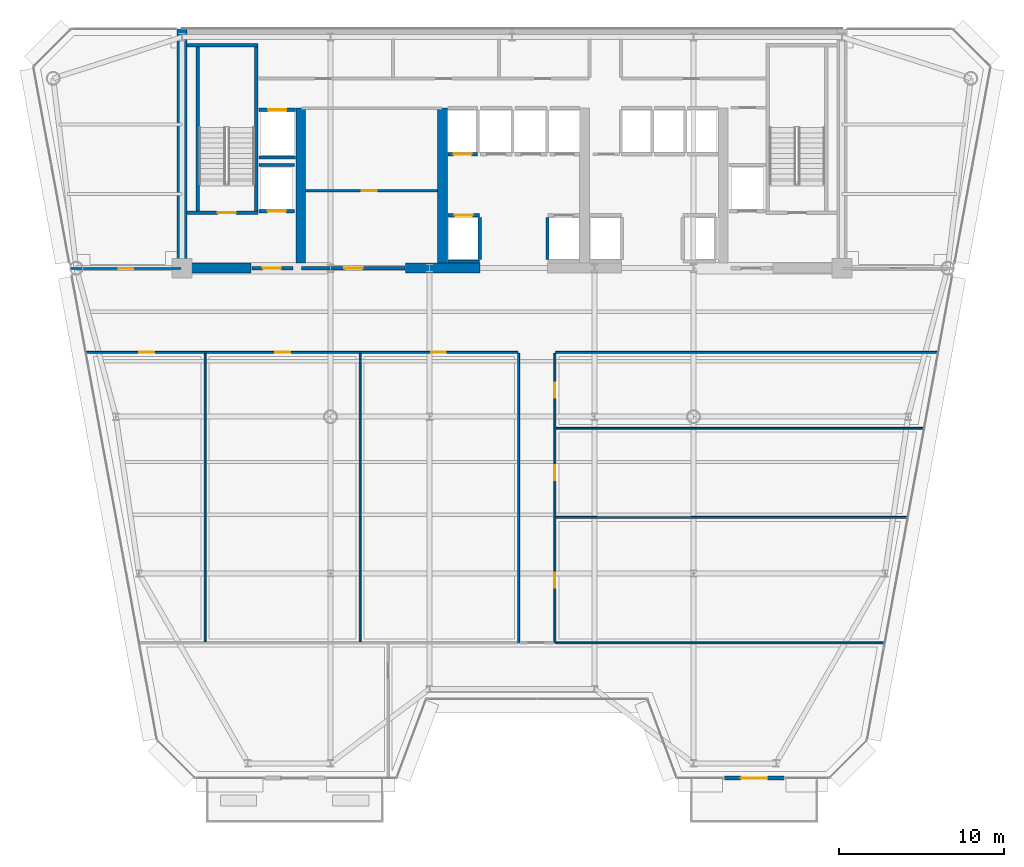
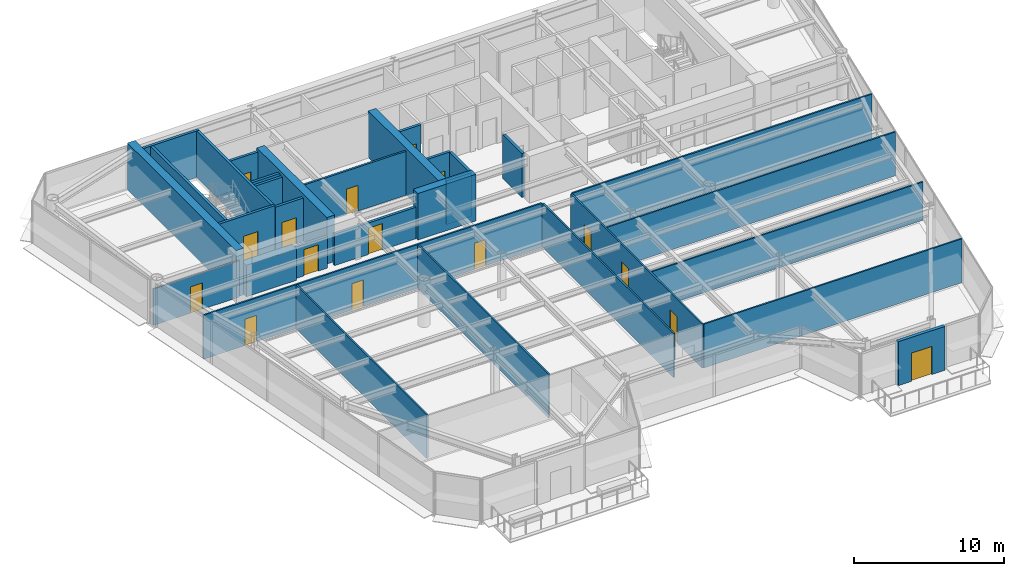
# One storey, part 11 of 17: 32 walls, 16 doors, 16 openings.
"""IFC4 building model written with IfcOpenShell, lengths in metres."""

import ifcopenshell
import ifcopenshell.guid

model = None  # the IFC model being written
_history = None  # IfcOwnerHistory: only IFC2X3 demands one
_inside = {}  # id of a spatial element -> (the spatial element, [elements in it])
_under = {}  # id of a project, library or spatial element -> (it, [spatial elements below it])
_declared = {}  # id of a project -> (the project, [libraries it declares])
_typed = {}  # id of a type object -> (the type object, [elements of that type])
_made_of = {}  # id of a material, layer set ... -> (it, [elements and type objects made of it])


def new_model(schema):
    """Start an empty IFC model of exactly this schema.

    Asked for "IFC4X3", IfcOpenShell would pick the latest addendum, in which some entities
    have other attributes; the version numbers below select the first issue.
    IFC2X3 requires an IfcOwnerHistory on every rooted entity: one is made here for all.
    """
    global model, _history
    if schema == "IFC4X3":
        model = ifcopenshell.file(schema_version=(4, 3, 0, 0))
    else:
        model = ifcopenshell.file(schema=schema)
    _inside.clear()
    _under.clear()
    _declared.clear()
    _typed.clear()
    _made_of.clear()
    _history = None
    if model.schema == "IFC2X3":
        org = make("IfcOrganization", Name="unknown")
        user = make(
            "IfcPersonAndOrganization",
            ThePerson=make("IfcPerson", FamilyName="unknown"),
            TheOrganization=org,
        )
        app = make(
            "IfcApplication",
            ApplicationDeveloper=org,
            Version="unknown",
            ApplicationFullName="unknown",
            ApplicationIdentifier="unknown",
        )
        _history = make(
            "IfcOwnerHistory",
            OwningUser=user,
            OwningApplication=app,
            ChangeAction="ADDED",
            CreationDate=0,
        )
    return model


def make(cls, **values):
    """One entity of the class cls with the attributes given. An attribute that is None is left unset."""
    return model.create_entity(
        cls, **{name: value for name, value in values.items() if value is not None}
    )


def rooted(cls, **values):
    """An entity with a GlobalId (a new one), such as an element, a storey or a relation."""
    return make(cls, GlobalId=ifcopenshell.guid.new(), OwnerHistory=_history, **values)


def si_unit(unit_type, name, prefix=None):
    """IfcSIUnit, for example si_unit("LENGTHUNIT", "METRE", prefix="MILLI")."""
    return make("IfcSIUnit", UnitType=unit_type, Prefix=prefix, Name=name)


def assignment(units):
    """IfcUnitAssignment: the units of a project."""
    return None if units is None else make("IfcUnitAssignment", Units=units)


def point(xyz):
    """IfcCartesianPoint."""
    return None if xyz is None else make("IfcCartesianPoint", Coordinates=xyz)


def direction(xyz):
    """IfcDirection."""
    return None if xyz is None else make("IfcDirection", DirectionRatios=xyz)


def frame(location, z_axis=None, x_axis=None):
    """IfcAxis2Placement3D, a coordinate frame: its origin and axes. An axis left out is left unset."""
    return make(
        "IfcAxis2Placement3D",
        Location=point(location),
        Axis=direction(z_axis),
        RefDirection=direction(x_axis),
    )


def frame_2d(location, x_axis=None):
    """IfcAxis2Placement2D, a coordinate frame in the plane: its origin and x axis."""
    return make(
        "IfcAxis2Placement2D", Location=point(location), RefDirection=direction(x_axis)
    )


def origin():
    """The frame at (0, 0, 0) with its axes left unset."""
    return frame((0.0, 0.0, 0.0))


def place(relative_to, where):
    """IfcLocalPlacement: puts the frame where relative to a parent placement (None: the world)."""
    return make(
        "IfcLocalPlacement", PlacementRelTo=relative_to, RelativePlacement=where
    )


def context(
    kind, dimensions, precision=None, world=None, true_north=None, identifier=None
):
    """IfcGeometricRepresentationContext, for example the 3D "Model" context."""
    return make(
        "IfcGeometricRepresentationContext",
        ContextIdentifier=identifier,
        ContextType=kind,
        CoordinateSpaceDimension=dimensions,
        Precision=precision,
        WorldCoordinateSystem=world,
        TrueNorth=true_north,
    )


def subcontext(parent, identifier, kind, view, scale=None):
    """IfcGeometricRepresentationSubContext, for example "Body" below "Model"."""
    return make(
        "IfcGeometricRepresentationSubContext",
        ContextIdentifier=identifier,
        ContextType=kind,
        ParentContext=parent,
        TargetScale=scale,
        TargetView=view,
    )


def project(units=None, contexts=None):
    """IfcProject with its units and contexts."""
    return rooted(
        "IfcProject",
        Name="project",
        RepresentationContexts=contexts,
        UnitsInContext=assignment(units),
    )


def spatial(cls, under=None, at=None, **own):
    """A site, building, storey or space (cls), placed at a placement, below another one or the project."""
    s = rooted(cls, ObjectPlacement=at, **own)
    if under is not None:
        _under.setdefault(under.id(), (under, []))[1].append(s)
    return s


def profile(cls, at=None, kind="AREA", **sizes):
    """A parametric profile (cls). Its sizes go by their IFC names, for example OverallWidth=200.0."""
    return make(cls, ProfileType=kind, Position=at, **sizes)


def rectangle(**sizes):
    """IfcRectangleProfileDef."""
    return profile("IfcRectangleProfileDef", **sizes)


def extrude(swept, where, along, depth):
    """IfcExtrudedAreaSolid: the profile swept, set in the frame where, extruded along a direction by depth."""
    return make(
        "IfcExtrudedAreaSolid",
        SweptArea=swept,
        Position=where,
        ExtrudedDirection=direction(along),
        Depth=depth,
    )


def shape(context_of_items, identifier, shape_type, items):
    """IfcShapeRepresentation: the items that make up one representation, for example the "Body"."""
    return make(
        "IfcShapeRepresentation",
        ContextOfItems=context_of_items,
        RepresentationIdentifier=identifier,
        RepresentationType=shape_type,
        Items=items,
    )


def source(mapping_origin, context_of_items, identifier, shape_type, items):
    """IfcRepresentationMap: a shape defined once, which mapped items show again and again."""
    return make(
        "IfcRepresentationMap",
        MappingOrigin=mapping_origin,
        MappedRepresentation=shape(context_of_items, identifier, shape_type, items),
    )


def transform(
    local_origin,
    x_axis=None,
    y_axis=None,
    z_axis=None,
    scale=None,
    scale2=None,
    scale3=None,
    uniform=True,
):
    """IfcCartesianTransformationOperator3D, or its non-uniform kind. x_axis, y_axis, z_axis: its Axis1, 2, 3."""
    if uniform:
        return make(
            "IfcCartesianTransformationOperator3D",
            Axis1=direction(x_axis),
            Axis2=direction(y_axis),
            LocalOrigin=point(local_origin),
            Scale=scale,
            Axis3=direction(z_axis),
        )
    return make(
        "IfcCartesianTransformationOperator3DnonUniform",
        Axis1=direction(x_axis),
        Axis2=direction(y_axis),
        LocalOrigin=point(local_origin),
        Scale=scale,
        Axis3=direction(z_axis),
        Scale2=scale2,
        Scale3=scale3,
    )


def mapped(mapping_source, mapping_target):
    """IfcMappedItem: shows the shape of a source again, moved by a transform."""
    return make(
        "IfcMappedItem", MappingSource=mapping_source, MappingTarget=mapping_target
    )


def material(Name=None, Category=None):
    """IfcMaterial."""
    return make("IfcMaterial", Name=Name, Category=Category)


def layer(
    of_material, thickness, ventilated=None, Name=None, Category=None, Priority=None
):
    """IfcMaterialLayer: one layer of a wall or slab, of a material (None: an air gap)."""
    return make(
        "IfcMaterialLayer",
        Material=of_material,
        LayerThickness=thickness,
        IsVentilated=ventilated,
        Name=Name,
        Category=Category,
        Priority=Priority,
    )


def layer_set(layers, Name=None):
    """IfcMaterialLayerSet."""
    return make("IfcMaterialLayerSet", MaterialLayers=layers, LayerSetName=Name)


def made_of(thing, what):
    """Note that an element or type object is made of a material, layer set ...; save() writes the relation."""
    if what is not None:
        _made_of.setdefault(what.id(), (what, []))[1].append(thing)
    return thing


def type_object(cls, material=None, **own):
    """A type object (cls), such as IfcWallType, which elements share."""
    return made_of(rooted(cls, **own), material)


def element(
    cls,
    number,
    at=None,
    inside=None,
    cuts=None,
    type_object=None,
    material=None,
    context=None,
    identifier="Body",
    shape_type=None,
    held_by="IfcProductDefinitionShape",
    body=None,
    shapes=None,
    **own,
):
    """One element of the class cls, such as IfcWall. Its Tag is "e" and its number.

    at: its placement. inside: the storey or other place that contains it. cuts: it is an
    opening in that element (IfcRelVoidsElement). A single representation is given by context,
    identifier, shape_type and body (its items); several are given by shapes. held_by: the class
    of the entity that holds the representations. save() writes the other relations.
    """
    e = rooted(cls, Tag="e%d" % number, ObjectPlacement=at, **own)
    if body is not None:
        shapes = [shape(context, identifier, shape_type, body)]
    if shapes is not None:
        e.Representation = make(held_by, Representations=shapes)
    if inside is not None:
        _inside.setdefault(inside.id(), (inside, []))[1].append(e)
    if cuts is not None:
        rooted(
            "IfcRelVoidsElement", RelatingBuildingElement=cuts, RelatedOpeningElement=e
        )
    if type_object is not None:
        _typed.setdefault(type_object.id(), (type_object, []))[1].append(e)
    return made_of(e, material)


def fill(opening, filler):
    """IfcRelFillsElement: the door or window that sits in an opening."""
    return rooted(
        "IfcRelFillsElement",
        RelatingOpeningElement=opening,
        RelatedBuildingElement=filler,
    )


def aggregate(whole, parts):
    """IfcRelAggregates: a whole, such as a stair, and the parts it consists of."""
    return rooted("IfcRelAggregates", RelatingObject=whole, RelatedObjects=parts)


def save(model, path):
    """Write the relations noted so far, then the file.

    IfcRelAggregates (storeys below a building ...), IfcRelContainedInSpatialStructure (elements
    in a storey), IfcRelDefinesByType, IfcRelAssociatesMaterial and IfcRelDeclares: one each for
    every whole, place, type object, material and project.
    """
    for whole, parts in _under.values():
        aggregate(whole, parts)
    for where, things in _inside.values():
        rooted(
            "IfcRelContainedInSpatialStructure",
            RelatedElements=things,
            RelatingStructure=where,
        )
    for kind, things in _typed.values():
        rooted("IfcRelDefinesByType", RelatedObjects=things, RelatingType=kind)
    for what, things in _made_of.values():
        rooted("IfcRelAssociatesMaterial", RelatedObjects=things, RelatingMaterial=what)
    for by, libraries in _declared.values():
        rooted("IfcRelDeclares", RelatingContext=by, RelatedDefinitions=libraries)
    model.write(path)


model = new_model("IFC4")

# Units and contexts
model_context = context("Model", 3, precision=1e-05, world=origin(), true_north=direction((0.0, 1.0)))
body_context = subcontext(model_context, "Body", "Model", "MODEL_VIEW")
ifc_project = project(units=[si_unit("LENGTHUNIT", "METRE"), si_unit("AREAUNIT", "SQUARE_METRE"), si_unit("VOLUMEUNIT", "CUBIC_METRE"), si_unit("PLANEANGLEUNIT", "RADIAN"), si_unit("MASSUNIT", "GRAM", prefix="KILO")], contexts=[model_context])

# Site, building, storey
site_placement = place(None, origin())
site = spatial("IfcSite", under=ifc_project, at=site_placement, CompositionType="ELEMENT")
building_placement = place(site_placement, origin())
building = spatial("IfcBuilding", under=site, at=building_placement, Name="Vaeldorn Concourse Tower", CompositionType="ELEMENT")
storey_placement = place(building_placement, frame((0.0, 0.0, 180.39990234375)))
storey = spatial("IfcBuildingStorey", under=building, at=storey_placement, Name="L46", CompositionType="ELEMENT", Elevation=180.39990234375)

# Walls
ifc_material_1 = material(Name="Concrete C50/60", Category="concrete")
ifc_layer_1 = layer(ifc_material_1, 0.60009765625)
ifc_layer_set_1 = layer_set([ifc_layer_1], Name="Concrete C50/60")
wall_type_1 = type_object("IfcWallType", Name="WL-CORE-600", PredefinedType="SHEAR", material=ifc_layer_set_1)
wall_1_placement = place(storey_placement, frame((14.0, 36.5, 0.0), z_axis=(0.0, 0.0, 1.0), x_axis=(0.0, 1.0, 0.0)))
element("IfcWall", 1, at=wall_1_placement, inside=storey, type_object=wall_type_1, Name="Rear Core Shear Wall L46 W1", PredefinedType="SHEAR", context=body_context, shape_type="SweptSolid", body=[
    extrude(rectangle(XDim=14.5, YDim=0.60009765625, at=frame_2d((7.25, 0.0))), origin(), (0.0, 0.0, 1.0), 3.800048828125),
])
wall_2_placement = place(storey_placement, frame((14.320068359375, 36.5, 0.0), z_axis=(0.0, 0.0, 1.0), x_axis=(1.0, 0.0, 0.0)))
element("IfcWall", 2, at=wall_2_placement, inside=storey, type_object=wall_type_1, Name="Rear Core Shear Wall L46 S1", PredefinedType="SHEAR", context=body_context, shape_type="SweptSolid", body=[
    extrude(rectangle(XDim=3.8798828125, YDim=0.60009765625, at=frame_2d((1.93994140625, 0.0))), origin(), (0.0, 0.0, 1.0), 2.580078125),
])
wall_3_placement = place(storey_placement, frame((27.550048828125, 36.5, 0.0), z_axis=(0.0, 0.0, 1.0), x_axis=(1.0, 0.0, 0.0)))
element("IfcWall", 3, at=wall_3_placement, inside=storey, type_object=wall_type_1, Name="Rear Core Shear Wall L46 S2", PredefinedType="SHEAR", context=body_context, shape_type="SweptSolid", body=[
    extrude(rectangle(XDim=4.5, YDim=0.60009765625, at=frame_2d((2.25, 0.0))), origin(), (0.0, 0.0, 1.0), 3.800048828125),
])
for number, where, z_axis, x_axis, name in (
    (4, (21.199951171875, 36.820068359375, 0.0), (0.0, 0.0, 1.0), (0.0, 1.0, 0.0), "Rear Core Shear Wall L46 M1"),
    (5, (29.800048828125, 36.820068359375, 0.0), (0.0, 0.0, 1.0), (0.0, 1.0, 0.0), "Rear Core Shear Wall L46 M2"),
):
    element("IfcWall", number, at=place(storey_placement, frame(where, z_axis=z_axis, x_axis=x_axis)), inside=storey, type_object=wall_type_1, Name=name, PredefinedType="SHEAR", context=body_context, shape_type="SweptSolid", body=[
        extrude(rectangle(XDim=9.3798828125, YDim=0.60009765625, at=frame_2d((4.68994140625, 0.0))), origin(), (0.0, 0.0, 1.0), 3.800048828125),
    ])

# Wall, opening, door
ifc_material_2 = material(Name="Precast concrete C40/50", Category="concrete")
ifc_layer_2 = layer(ifc_material_2, 0.25)
ifc_layer_set_2 = layer_set([ifc_layer_2], Name="Precast concrete C40/50")
wall_type_2 = type_object("IfcWallType", Name="WL-EXT-TERRACE-250", PredefinedType="STANDARD", material=ifc_layer_set_2)
wall_4_placement = place(storey_placement, frame((50.469970703125, 5.60009765625, 0.0), z_axis=(0.0, 0.0, 1.0), x_axis=(-1.0, 0.0, 0.0)))
wall_4 = element("IfcWall", 6, at=wall_4_placement, inside=storey, type_object=wall_type_2, Name="Sawtooth Sky Garden Portal Wall L46-2", PredefinedType="STANDARD", context=body_context, shape_type="SweptSolid", body=[
    extrude(rectangle(XDim=3.599853515625, YDim=0.25, at=frame_2d((1.7998046875, 0.0))), origin(), (0.0, 0.0, 1.0), 3.580078125),
])
opening_1_placement = place(wall_4_placement, frame((1.0, 0.0, 0.0)))
opening_1 = element("IfcOpeningElement", 7, at=opening_1_placement, cuts=wall_4, Name="Opening DG-1", PredefinedType="OPENING", context=body_context, shape_type="SweptSolid", body=[
    extrude(rectangle(XDim=1.60009765625, YDim=2.300048828125, at=frame_2d((0.800048828125, 1.14990234375))), frame((0.0, 0.135009765625, 0.0), z_axis=(0.0, -1.0, 0.0), x_axis=(1.0, 0.0, 0.0)), (0.0, 0.0, 1.0), 0.27001953125),
])
ifc_material_3 = material(Name="Anodised Bronze Aluminium", Category="aluminium")
door_type_1 = type_object("IfcDoorType", Name="DR-EXTERNAL-1600", OperationType="DOUBLE_DOOR_SINGLE_SWING", PredefinedType="DOOR", material=ifc_material_3)
shared_shape_1 = source(origin(), body_context, "Body", "SweptSolid", [
    extrude(rectangle(XDim=1.60009765625, YDim=2.300048828125, at=frame_2d((0.800048828125, 1.14990234375))), frame((0.0, 0.02490234375, 0.0), z_axis=(0.0, -1.0, 0.0), x_axis=(1.0, 0.0, 0.0)), (0.0, 0.0, 1.0), 0.050048828125),
])
door_1_placement = place(opening_1_placement, origin())
door_1 = element("IfcDoor", 8, at=door_1_placement, inside=storey, type_object=door_type_1, Name="Sawtooth Sky Garden Terrace Door L46-2", OperationType="DOUBLE_DOOR_SINGLE_SWING", OverallHeight=2.300048828125, OverallWidth=1.60009765625, PredefinedType="DOOR", context=body_context, shape_type="MappedRepresentation", body=[
    mapped(shared_shape_1, transform((0.0, 0.0, 0.0), scale=1.0)),
])
fill(opening_1, door_1)

# Wall, openings, doors
ifc_material_4 = material(Name="Gypsum Board Partition", Category="gypsum")
ifc_layer_3 = layer(ifc_material_4, 0.1201171875)
ifc_layer_set_3 = layer_set([ifc_layer_3], Name="Gypsum Board Partition")
wall_type_3 = type_object("IfcWallType", Name="WL-PART-120", PredefinedType="PARTITIONING", material=ifc_layer_set_3)
wall_5_placement = place(storey_placement, frame((8.21630859375, 31.39990234375, 0.0), z_axis=(0.0, 0.0, 1.0), x_axis=(1.0, 0.0, 0.0)))
wall_5 = element("IfcWall", 9, at=wall_5_placement, inside=storey, type_object=wall_type_3, Name="Interior Wall PW-L46-C2SW", PredefinedType="PARTITIONING", context=body_context, shape_type="SweptSolid", body=[
    extrude(rectangle(XDim=26.123779296875, YDim=0.1201171875, at=frame_2d((13.06201171875, 0.0))), origin(), (0.0, 0.0, 1.0), 3.580078125),
])
opening_2_placement = place(wall_5_placement, frame((3.19189453125, 0.0, 0.0)))
opening_2 = element("IfcOpeningElement", 10, at=opening_2_placement, cuts=wall_5, Name="Opening D-03", PredefinedType="OPENING", context=body_context, shape_type="SweptSolid", body=[
    extrude(rectangle(XDim=0.89990234375, YDim=2.14990234375, at=frame_2d((0.449951171875, 1.074951171875))), frame((0.0, 0.070068359375, 0.0), z_axis=(0.0, -1.0, 0.0), x_axis=(1.0, 0.0, 0.0)), (0.0, 0.0, 1.0), 0.14013671875),
])
opening_3_placement = place(wall_5_placement, frame((11.43408203125, 0.0, 0.0)))
opening_3 = element("IfcOpeningElement", 11, at=opening_3_placement, cuts=wall_5, Name="Opening D-03", PredefinedType="OPENING", context=body_context, shape_type="SweptSolid", body=[
    extrude(rectangle(XDim=0.89990234375, YDim=2.14990234375, at=frame_2d((0.449951171875, 1.074951171875))), frame((0.0, 0.070068359375, 0.0), z_axis=(0.0, -1.0, 0.0), x_axis=(1.0, 0.0, 0.0)), (0.0, 0.0, 1.0), 0.14013671875),
])
opening_4_placement = place(wall_5_placement, frame((20.884033203125, 0.0, 0.0)))
opening_4 = element("IfcOpeningElement", 12, at=opening_4_placement, cuts=wall_5, Name="Opening D-03", PredefinedType="OPENING", context=body_context, shape_type="SweptSolid", body=[
    extrude(rectangle(XDim=0.89990234375, YDim=2.14990234375, at=frame_2d((0.449951171875, 1.074951171875))), frame((0.0, 0.070068359375, 0.0), z_axis=(0.0, -1.0, 0.0), x_axis=(1.0, 0.0, 0.0)), (0.0, 0.0, 1.0), 0.14013671875),
])
ifc_material_5 = material(Name="Acoustic Bronze-Framed Glass Door", Category="glass")
door_type_2 = type_object("IfcDoorType", Name="DR-INT-900", OperationType="NOTDEFINED", PredefinedType="DOOR", material=ifc_material_5)
shared_shape_2 = source(origin(), body_context, "Body", "SweptSolid", [
    extrude(rectangle(XDim=0.89990234375, YDim=2.14990234375, at=frame_2d((0.449951171875, 1.074951171875))), frame((0.0, 0.02490234375, 0.0), z_axis=(0.0, -1.0, 0.0), x_axis=(1.0, 0.0, 0.0)), (0.0, 0.0, 1.0), 0.050048828125),
])
door_2_placement = place(opening_2_placement, origin())
door_2 = element("IfcDoor", 13, at=door_2_placement, inside=storey, type_object=door_type_2, Name="Interior Door DR-L46-Z2W1", OperationType="SINGLE_SWING_LEFT", OverallHeight=2.14990234375, OverallWidth=0.89990234375, PredefinedType="DOOR", context=body_context, shape_type="MappedRepresentation", body=[
    mapped(shared_shape_2, transform((0.0, 0.0, 0.0), scale=1.0)),
])
fill(opening_2, door_2)
door_3_placement = place(opening_3_placement, origin())
door_3 = element("IfcDoor", 14, at=door_3_placement, inside=storey, type_object=door_type_2, Name="Interior Door DR-L46-Z2W2", OperationType="SINGLE_SWING_RIGHT", OverallHeight=2.14990234375, OverallWidth=0.89990234375, PredefinedType="DOOR", context=body_context, shape_type="MappedRepresentation", body=[
    mapped(shared_shape_2, transform((0.0, 0.0, 0.0), scale=1.0)),
])
fill(opening_3, door_3)
door_4_placement = place(opening_4_placement, origin())
door_4 = element("IfcDoor", 15, at=door_4_placement, inside=storey, type_object=door_type_2, Name="Interior Door DR-L46-Z2W3", OperationType="SINGLE_SWING_LEFT", OverallHeight=2.14990234375, OverallWidth=0.89990234375, PredefinedType="DOOR", context=body_context, shape_type="MappedRepresentation", body=[
    mapped(shared_shape_2, transform((0.0, 0.0, 0.0), scale=1.0)),
])
fill(opening_4, door_4)

# Walls
wall_6_placement = place(storey_placement, frame((36.659912109375, 31.39990234375, 0.0), z_axis=(0.0, 0.0, 1.0), x_axis=(1.0, 0.0, 0.0)))
element("IfcWall", 16, at=wall_6_placement, inside=storey, type_object=wall_type_3, Name="Interior Wall PW-L46-C2SE", PredefinedType="PARTITIONING", context=body_context, shape_type="SweptSolid", body=[
    extrude(rectangle(XDim=23.123779296875, YDim=0.1201171875, at=frame_2d((11.56201171875, 0.0))), origin(), (0.0, 0.0, 1.0), 3.580078125),
])
wall_7_placement = place(storey_placement, frame((34.39990234375, 13.800048828125, 0.0), z_axis=(0.0, 0.0, 1.0), x_axis=(0.0, 1.0, 0.0)))
element("IfcWall", 17, at=wall_7_placement, inside=storey, type_object=wall_type_3, Name="Interior Wall PW-L46-SP2W", PredefinedType="PARTITIONING", context=body_context, shape_type="SweptSolid", body=[
    extrude(rectangle(XDim=17.5400390625, YDim=0.1201171875, at=frame_2d((8.77001953125, 0.0))), origin(), (0.0, 0.0, 1.0), 3.580078125),
])

# Wall, openings, doors
wall_8_placement = place(storey_placement, frame((36.60009765625, 13.800048828125, 0.0), z_axis=(0.0, 0.0, 1.0), x_axis=(0.0, 1.0, 0.0)))
wall_8 = element("IfcWall", 18, at=wall_8_placement, inside=storey, type_object=wall_type_3, Name="Interior Wall PW-L46-SP2E", PredefinedType="PARTITIONING", context=body_context, shape_type="SweptSolid", body=[
    extrude(rectangle(XDim=17.5400390625, YDim=0.1201171875, at=frame_2d((8.77001953125, 0.0))), origin(), (0.0, 0.0, 1.0), 3.580078125),
])
opening_5_placement = place(wall_8_placement, frame((3.35009765625, 0.0, 0.0)))
opening_5 = element("IfcOpeningElement", 19, at=opening_5_placement, cuts=wall_8, Name="Opening D-03", PredefinedType="OPENING", context=body_context, shape_type="SweptSolid", body=[
    extrude(rectangle(XDim=0.89990234375, YDim=2.14990234375, at=frame_2d((0.449951171875, 1.074951171875))), frame((0.0, 0.070068359375, 0.0), z_axis=(0.0, -1.0, 0.0), x_axis=(1.0, 0.0, 0.0)), (0.0, 0.0, 1.0), 0.14013671875),
])
opening_6_placement = place(wall_8_placement, frame((9.85009765625, 0.0, 0.0)))
opening_6 = element("IfcOpeningElement", 20, at=opening_6_placement, cuts=wall_8, Name="Opening D-03", PredefinedType="OPENING", context=body_context, shape_type="SweptSolid", body=[
    extrude(rectangle(XDim=0.89990234375, YDim=2.14990234375, at=frame_2d((0.449951171875, 1.074951171875))), frame((0.0, 0.070068359375, 0.0), z_axis=(0.0, -1.0, 0.0), x_axis=(1.0, 0.0, 0.0)), (0.0, 0.0, 1.0), 0.14013671875),
])
opening_7_placement = place(wall_8_placement, frame((14.85009765625, 0.0, 0.0)))
opening_7 = element("IfcOpeningElement", 21, at=opening_7_placement, cuts=wall_8, Name="Opening D-03", PredefinedType="OPENING", context=body_context, shape_type="SweptSolid", body=[
    extrude(rectangle(XDim=0.89990234375, YDim=2.14990234375, at=frame_2d((0.449951171875, 1.074951171875))), frame((0.0, 0.070068359375, 0.0), z_axis=(0.0, -1.0, 0.0), x_axis=(1.0, 0.0, 0.0)), (0.0, 0.0, 1.0), 0.14013671875),
])
door_5_placement = place(opening_5_placement, origin())
door_5 = element("IfcDoor", 22, at=door_5_placement, inside=storey, type_object=door_type_2, Name="Interior Door DR-L46-Z2E1", OperationType="SINGLE_SWING_RIGHT", OverallHeight=2.14990234375, OverallWidth=0.89990234375, PredefinedType="DOOR", context=body_context, shape_type="MappedRepresentation", body=[
    mapped(shared_shape_2, transform((0.0, 0.0, 0.0), scale=1.0)),
])
fill(opening_5, door_5)
door_6_placement = place(opening_6_placement, origin())
door_6 = element("IfcDoor", 23, at=door_6_placement, inside=storey, type_object=door_type_2, Name="Interior Door DR-L46-Z2E2", OperationType="SINGLE_SWING_LEFT", OverallHeight=2.14990234375, OverallWidth=0.89990234375, PredefinedType="DOOR", context=body_context, shape_type="MappedRepresentation", body=[
    mapped(shared_shape_2, transform((0.0, 0.0, 0.0), scale=1.0)),
])
fill(opening_6, door_6)
door_7_placement = place(opening_7_placement, origin())
door_7 = element("IfcDoor", 24, at=door_7_placement, inside=storey, type_object=door_type_2, Name="Interior Door DR-L46-Z2E3", OperationType="SINGLE_SWING_RIGHT", OverallHeight=2.14990234375, OverallWidth=0.89990234375, PredefinedType="DOOR", context=body_context, shape_type="MappedRepresentation", body=[
    mapped(shared_shape_2, transform((0.0, 0.0, 0.0), scale=1.0)),
])
fill(opening_7, door_7)

# Wall, opening, door
wall_9_placement = place(storey_placement, frame((7.2890625, 36.47998046875, 0.0), z_axis=(0.0, 0.0, 1.0), x_axis=(1.0, 0.0, 0.0)))
wall_9 = element("IfcWall", 25, at=wall_9_placement, inside=storey, type_object=wall_type_3, Name="Interior Wall PW-L46-NWS", PredefinedType="PARTITIONING", context=body_context, shape_type="SweptSolid", body=[
    extrude(rectangle(XDim=6.65087890625, YDim=0.1201171875, at=frame_2d((3.325439453125, 0.0))), origin(), (0.0, 0.0, 1.0), 2.97021484375),
])
opening_8_placement = place(wall_9_placement, frame((2.875, 0.0, 0.0)))
opening_8 = element("IfcOpeningElement", 26, at=opening_8_placement, cuts=wall_9, Name="Opening D-03", PredefinedType="OPENING", context=body_context, shape_type="SweptSolid", body=[
    extrude(rectangle(XDim=0.89990234375, YDim=2.14990234375, at=frame_2d((0.449951171875, 1.074951171875))), frame((0.0, 0.070068359375, 0.0), z_axis=(0.0, -1.0, 0.0), x_axis=(1.0, 0.0, 0.0)), (0.0, 0.0, 1.0), 0.14013671875),
])
door_8_placement = place(opening_8_placement, origin())
door_8 = element("IfcDoor", 27, at=door_8_placement, inside=storey, type_object=door_type_2, Name="Interior Door DR-L46-NWC", OperationType="SINGLE_SWING_LEFT", OverallHeight=2.14990234375, OverallWidth=0.89990234375, PredefinedType="DOOR", context=body_context, shape_type="MappedRepresentation", body=[
    mapped(shared_shape_2, transform((0.0, 0.0, 0.0), scale=1.0)),
])
fill(opening_8, door_8)

# Walls
wall_10_placement = place(storey_placement, frame((36.659912109375, 13.800048828125, 0.0), z_axis=(0.0, 0.0, 1.0), x_axis=(1.0, 0.0, 0.0)))
element("IfcWall", 28, at=wall_10_placement, inside=storey, type_object=wall_type_3, Name="Interior Wall PW-L46-S2EL", PredefinedType="PARTITIONING", context=body_context, shape_type="SweptSolid", body=[
    extrude(rectangle(XDim=19.892333984375, YDim=0.1201171875, at=frame_2d((9.9462890625, 0.0))), origin(), (0.0, 0.0, 1.0), 3.580078125),
])
for number, where, z_axis, x_axis, name in (
    (29, (15.39990234375, 13.860107421875, 0.0), (0.0, 0.0, 1.0), (0.0, 1.0, 0.0), "Interior Wall PW-L46-Z2WX1"),
    (30, (24.800048828125, 13.860107421875, 0.0), (0.0, 0.0, 1.0), (0.0, 1.0, 0.0), "Interior Wall PW-L46-Z2WX2"),
):
    element("IfcWall", number, at=place(storey_placement, frame(where, z_axis=z_axis, x_axis=x_axis)), inside=storey, type_object=wall_type_3, Name=name, PredefinedType="PARTITIONING", context=body_context, shape_type="SweptSolid", body=[
        extrude(rectangle(XDim=17.47998046875, YDim=0.1201171875, at=frame_2d((8.739990234375, 0.0))), origin(), (0.0, 0.0, 1.0), 3.580078125),
    ])
wall_11_placement = place(storey_placement, frame((36.659912109375, 21.39990234375, 0.0), z_axis=(0.0, 0.0, 1.0), x_axis=(1.0, 0.0, 0.0)))
element("IfcWall", 31, at=wall_11_placement, inside=storey, type_object=wall_type_3, Name="Interior Wall PW-L46-Z2EY1", PredefinedType="PARTITIONING", context=body_context, shape_type="SweptSolid", body=[
    extrude(rectangle(XDim=21.28759765625, YDim=0.1201171875, at=frame_2d((10.643798828125, 0.0))), origin(), (0.0, 0.0, 1.0), 3.1201171875),
])
wall_12_placement = place(storey_placement, frame((36.659912109375, 26.800048828125, 0.0), z_axis=(0.0, 0.0, 1.0), x_axis=(1.0, 0.0, 0.0)))
element("IfcWall", 32, at=wall_12_placement, inside=storey, type_object=wall_type_3, Name="Interior Wall PW-L46-Z2EY2", PredefinedType="PARTITIONING", context=body_context, shape_type="SweptSolid", body=[
    extrude(rectangle(XDim=22.279296875, YDim=0.1201171875, at=frame_2d((11.1396484375, 0.0))), origin(), (0.0, 0.0, 1.0), 3.580078125),
])

# Wall, opening, door
ifc_layer_4 = layer(ifc_material_4, 0.14990234375)
ifc_layer_set_4 = layer_set([ifc_layer_4], Name="Gypsum Board Partition")
wall_type_4 = type_object("IfcWallType", Name="WL-PART-150", PredefinedType="PARTITIONING", material=ifc_layer_set_4)
wall_13_placement = place(storey_placement, frame((21.5, 41.199951171875, 0.0), z_axis=(0.0, 0.0, 1.0), x_axis=(1.0, 0.0, 0.0)))
wall_13 = element("IfcWall", 33, at=wall_13_placement, inside=storey, type_object=wall_type_4, Name="Interior Wall CW-L46-R1M", PredefinedType="PARTITIONING", context=body_context, shape_type="SweptSolid", body=[
    extrude(rectangle(XDim=8.0, YDim=0.14990234375, at=frame_2d((4.0, 0.0))), origin(), (0.0, 0.0, 1.0), 3.580078125),
])
opening_9_placement = place(wall_13_placement, frame((3.39990234375, 0.0, 0.0)))
opening_9 = element("IfcOpeningElement", 34, at=opening_9_placement, cuts=wall_13, Name="Opening D-02", PredefinedType="OPENING", context=body_context, shape_type="SweptSolid", body=[
    extrude(rectangle(XDim=0.89990234375, YDim=2.10009765625, at=frame_2d((0.449951171875, 1.050048828125))), frame((0.0, 0.0849609375, 0.0), z_axis=(0.0, -1.0, 0.0), x_axis=(1.0, 0.0, 0.0)), (0.0, 0.0, 1.0), 0.169921875),
])
ifc_material_6 = material(Name="Fire-Rated Timber Leaf", Category="wood")
door_type_3 = type_object("IfcDoorType", Name="DR-FD30-900", OperationType="NOTDEFINED", PredefinedType="DOOR", material=ifc_material_6)
shared_shape_3 = source(origin(), body_context, "Body", "SweptSolid", [
    extrude(rectangle(XDim=0.89990234375, YDim=2.10009765625, at=frame_2d((0.449951171875, 1.050048828125))), frame((0.0, 0.02490234375, 0.0), z_axis=(0.0, -1.0, 0.0), x_axis=(1.0, 0.0, 0.0)), (0.0, 0.0, 1.0), 0.050048828125),
])
door_9_placement = place(opening_9_placement, origin())
door_9 = element("IfcDoor", 35, at=door_9_placement, inside=storey, type_object=door_type_3, Name="Interior Door DR-L46-R1M", OperationType="SINGLE_SWING_RIGHT", OverallHeight=2.10009765625, OverallWidth=0.89990234375, PredefinedType="DOOR", context=body_context, shape_type="MappedRepresentation", body=[
    mapped(shared_shape_3, transform((0.0, 0.0, 0.0), scale=1.0)),
])
fill(opening_9, door_9)

ifc_layer_5 = layer(ifc_material_1, 0.199951171875)
ifc_layer_set_5 = layer_set([ifc_layer_5], Name="Concrete C50/60")
wall_type_5 = type_object("IfcWallType", Name="WL-SHAFT-200", PredefinedType="SOLIDWALL", material=ifc_layer_set_5)
wall_14_placement = place(storey_placement, frame((14.300048828125, 39.85009765625, 0.0), z_axis=(0.0, 0.0, 1.0), x_axis=(1.0, 0.0, 0.0)))
wall_14 = element("IfcWall", 36, at=wall_14_placement, inside=storey, type_object=wall_type_5, Name="Stair Shaft Wall CW-L46-ST-1-S", PredefinedType="SOLIDWALL", context=body_context, shape_type="SweptSolid", body=[
    extrude(rectangle(XDim=4.300048828125, YDim=0.199951171875, at=frame_2d((2.14990234375, 0.0))), origin(), (0.0, 0.0, 1.0), 3.800048828125),
])
opening_10_placement = place(wall_14_placement, frame((1.875, 0.0, 0.0)))
opening_10 = element("IfcOpeningElement", 37, at=opening_10_placement, cuts=wall_14, Name="Opening D-01", PredefinedType="OPENING", context=body_context, shape_type="SweptSolid", body=[
    extrude(rectangle(XDim=1.10009765625, YDim=2.14990234375, at=frame_2d((0.550048828125, 1.074951171875))), frame((0.0, 0.10986328125, 0.0), z_axis=(0.0, -1.0, 0.0), x_axis=(1.0, 0.0, 0.0)), (0.0, 0.0, 1.0), 0.219970703125),
])
ifc_material_7 = material(Name="Fire-Rated Timber and Steel Leaf", Category="steel")
door_type_4 = type_object("IfcDoorType", Name="DR-FD60-1100", OperationType="NOTDEFINED", PredefinedType="DOOR", material=ifc_material_7)
shared_shape_4 = source(origin(), body_context, "Body", "SweptSolid", [
    extrude(rectangle(XDim=1.10009765625, YDim=2.14990234375, at=frame_2d((0.550048828125, 1.074951171875))), frame((0.0, 0.02490234375, 0.0), z_axis=(0.0, -1.0, 0.0), x_axis=(1.0, 0.0, 0.0)), (0.0, 0.0, 1.0), 0.050048828125),
])
door_10_placement = place(opening_10_placement, origin())
door_10 = element("IfcDoor", 38, at=door_10_placement, inside=storey, type_object=door_type_4, Name="Interior Door DR-L46-ST-1", OperationType="SINGLE_SWING_LEFT", OverallHeight=2.14990234375, OverallWidth=1.10009765625, PredefinedType="DOOR", context=body_context, shape_type="MappedRepresentation", body=[
    mapped(shared_shape_4, transform((0.0, 0.0, 0.0), scale=1.0)),
])
fill(opening_10, door_10)

# Walls
wall_15_placement = place(storey_placement, frame((14.300048828125, 50.0, 0.0), z_axis=(0.0, 0.0, 1.0), x_axis=(1.0, 0.0, 0.0)))
element("IfcWall", 39, at=wall_15_placement, inside=storey, type_object=wall_type_5, Name="Stair Shaft Wall CW-L46-ST-1-N", PredefinedType="SOLIDWALL", context=body_context, shape_type="SweptSolid", body=[
    extrude(rectangle(XDim=4.300048828125, YDim=0.199951171875, at=frame_2d((2.14990234375, 0.0))), origin(), (0.0, 0.0, 1.0), 3.800048828125),
])
for number, where, z_axis, x_axis, name in (
    (40, (14.949951171875, 39.9599609375, 0.0), (0.0, 0.0, 1.0), (0.0, 1.0, 0.0), "Stair Shaft Wall CW-L46-ST-1-W"),
    (41, (18.5, 39.9599609375, 0.0), (0.0, 0.0, 1.0), (0.0, 1.0, 0.0), "Stair Shaft Wall CW-L46-ST-1-E"),
):
    element("IfcWall", number, at=place(storey_placement, frame(where, z_axis=z_axis, x_axis=x_axis)), inside=storey, type_object=wall_type_5, Name=name, PredefinedType="SOLIDWALL", context=body_context, shape_type="SweptSolid", body=[
        extrude(rectangle(XDim=9.929931640625, YDim=0.199951171875, at=frame_2d((4.96484375, 0.0))), origin(), (0.0, 0.0, 1.0), 3.800048828125),
    ])

# Wall, opening, door
wall_16_placement = place(storey_placement, frame((18.25, 36.5, 0.0), z_axis=(0.0, 0.0, 1.0), x_axis=(1.0, 0.0, 0.0)))
wall_16 = element("IfcWall", 42, at=wall_16_placement, inside=storey, type_object=wall_type_5, Name="Interior Wall CW-L46-FF1S", PredefinedType="SOLIDWALL", context=body_context, shape_type="SweptSolid", body=[
    extrude(rectangle(XDim=2.469970703125, YDim=0.199951171875, at=frame_2d((1.23486328125, 0.0))), origin(), (0.0, 0.0, 1.0), 2.570068359375),
])
opening_11_placement = place(wall_16_placement, frame((0.64990234375, 0.0, 0.0)))
opening_11 = element("IfcOpeningElement", 43, at=opening_11_placement, cuts=wall_16, Name="Opening D-01", PredefinedType="OPENING", context=body_context, shape_type="SweptSolid", body=[
    extrude(rectangle(XDim=1.10009765625, YDim=2.14990234375, at=frame_2d((0.550048828125, 1.074951171875))), frame((0.0, 0.10986328125, 0.0), z_axis=(0.0, -1.0, 0.0), x_axis=(1.0, 0.0, 0.0)), (0.0, 0.0, 1.0), 0.219970703125),
])
door_11_placement = place(opening_11_placement, origin())
door_11 = element("IfcDoor", 44, at=door_11_placement, inside=storey, type_object=door_type_4, Name="Interior Door DR-L46-FF1E", OperationType="SINGLE_SWING_RIGHT", OverallHeight=2.14990234375, OverallWidth=1.10009765625, PredefinedType="DOOR", context=body_context, shape_type="MappedRepresentation", body=[
    mapped(shared_shape_4, transform((0.0, 0.0, 0.0), scale=1.0)),
])
fill(opening_11, door_11)

wall_17_placement = place(storey_placement, frame((30.110107421875, 39.699951171875, 0.0), z_axis=(0.0, 0.0, 1.0), x_axis=(1.0, 0.0, 0.0)))
wall_17 = element("IfcWall", 45, at=wall_17_placement, inside=storey, type_object=wall_type_5, Name="Interior Wall CW-L46-LF-LF-07", PredefinedType="SOLIDWALL", context=body_context, shape_type="SweptSolid", body=[
    extrude(rectangle(XDim=1.919921875, YDim=0.199951171875, at=frame_2d((0.9599609375, 0.0))), origin(), (0.0, 0.0, 1.0), 3.580078125),
])
opening_12_placement = place(wall_17_placement, frame((0.409912109375, 0.0, 0.0)))
opening_12 = element("IfcOpeningElement", 46, at=opening_12_placement, cuts=wall_17, Name="Opening LD-1", PredefinedType="OPENING", context=body_context, shape_type="SweptSolid", body=[
    extrude(rectangle(XDim=1.10009765625, YDim=2.14990234375, at=frame_2d((0.550048828125, 1.074951171875))), frame((0.0, 0.10986328125, 0.0), z_axis=(0.0, -1.0, 0.0), x_axis=(1.0, 0.0, 0.0)), (0.0, 0.0, 1.0), 0.219970703125),
])
door_type_5 = type_object("IfcDoorType", Name="DR-LIFT-SLIDE-1100", OperationType="DOUBLE_DOOR_SLIDING", PredefinedType="DOOR", material=ifc_material_3)
door_12_placement = place(opening_12_placement, origin())
door_12 = element("IfcDoor", 47, at=door_12_placement, inside=storey, type_object=door_type_5, Name="Lift Landing Door LD-L46-LF-07", OperationType="DOUBLE_DOOR_SLIDING", OverallHeight=2.14990234375, OverallWidth=1.10009765625, PredefinedType="DOOR", context=body_context, shape_type="MappedRepresentation", body=[
    mapped(shared_shape_4, transform((0.0, 0.0, 0.0), scale=1.0)),
])
fill(opening_12, door_12)

# Walls
wall_18_placement = place(storey_placement, frame((30.110107421875, 36.89990234375, 0.0), z_axis=(0.0, 0.0, 1.0), x_axis=(1.0, 0.0, 0.0)))
element("IfcWall", 48, at=wall_18_placement, inside=storey, type_object=wall_type_5, Name="Interior Wall CW-L46-LFB-LF-07", PredefinedType="SOLIDWALL", context=body_context, shape_type="SweptSolid", body=[
    extrude(rectangle(XDim=1.919921875, YDim=0.199951171875, at=frame_2d((0.9599609375, 0.0))), origin(), (0.0, 0.0, 1.0), 3.580078125),
])
for number, where, z_axis, x_axis, name in (
    (49, (32.050048828125, 37.02001953125, 0.0), (0.0, 0.0, 1.0), (0.0, 1.0, 0.0), "Interior Wall CW-L46-LFE-LF-07"),
    (50, (36.14990234375, 37.02001953125, 0.0), (0.0, 0.0, 1.0), (0.0, 1.0, 0.0), "Interior Wall CW-L46-LFW-LF-08"),
):
    element("IfcWall", number, at=place(storey_placement, frame(where, z_axis=z_axis, x_axis=x_axis)), inside=storey, type_object=wall_type_5, Name=name, PredefinedType="SOLIDWALL", context=body_context, shape_type="SweptSolid", body=[
        extrude(rectangle(XDim=2.56005859375, YDim=0.199951171875, at=frame_2d((1.280029296875, 0.0))), origin(), (0.0, 0.0, 1.0), 3.580078125),
    ])

# Wall, opening, door
wall_19_placement = place(storey_placement, frame((30.110107421875, 43.39990234375, 0.0), z_axis=(0.0, 0.0, 1.0), x_axis=(1.0, 0.0, 0.0)))
wall_19 = element("IfcWall", 51, at=wall_19_placement, inside=storey, type_object=wall_type_5, Name="Interior Wall CW-L46-LF-LF-09", PredefinedType="SOLIDWALL", context=body_context, shape_type="SweptSolid", body=[
    extrude(rectangle(XDim=1.7998046875, YDim=0.199951171875, at=frame_2d((0.89990234375, 0.0))), origin(), (0.0, 0.0, 1.0), 3.580078125),
])
opening_13_placement = place(wall_19_placement, frame((0.35009765625, 0.0, 0.0)))
opening_13 = element("IfcOpeningElement", 52, at=opening_13_placement, cuts=wall_19, Name="Opening LD-1", PredefinedType="OPENING", context=body_context, shape_type="SweptSolid", body=[
    extrude(rectangle(XDim=1.10009765625, YDim=2.14990234375, at=frame_2d((0.550048828125, 1.074951171875))), frame((0.0, 0.10986328125, 0.0), z_axis=(0.0, -1.0, 0.0), x_axis=(1.0, 0.0, 0.0)), (0.0, 0.0, 1.0), 0.219970703125),
])
door_13_placement = place(opening_13_placement, origin())
door_13 = element("IfcDoor", 53, at=door_13_placement, inside=storey, type_object=door_type_5, Name="Lift Landing Door LD-L46-LF-09", OperationType="DOUBLE_DOOR_SLIDING", OverallHeight=2.14990234375, OverallWidth=1.10009765625, PredefinedType="DOOR", context=body_context, shape_type="MappedRepresentation", body=[
    mapped(shared_shape_4, transform((0.0, 0.0, 0.0), scale=1.0)),
])
fill(opening_13, door_13)

wall_20_placement = place(storey_placement, frame((18.669921875, 46.10009765625, 0.0), z_axis=(0.0, 0.0, 1.0), x_axis=(1.0, 0.0, 0.0)))
wall_20 = element("IfcWall", 54, at=wall_20_placement, inside=storey, type_object=wall_type_5, Name="Interior Wall CW-L46-LF-LF-SV1", PredefinedType="SOLIDWALL", context=body_context, shape_type="SweptSolid", body=[
    extrude(rectangle(XDim=2.219970703125, YDim=0.199951171875, at=frame_2d((1.10986328125, 0.0))), origin(), (0.0, 0.0, 1.0), 3.580078125),
])
opening_14_placement = place(wall_20_placement, frame((0.56005859375, 0.0, 0.0)))
opening_14 = element("IfcOpeningElement", 55, at=opening_14_placement, cuts=wall_20, Name="Opening LD-1", PredefinedType="OPENING", context=body_context, shape_type="SweptSolid", body=[
    extrude(rectangle(XDim=1.10009765625, YDim=2.14990234375, at=frame_2d((0.550048828125, 1.074951171875))), frame((0.0, 0.10986328125, 0.0), z_axis=(0.0, -1.0, 0.0), x_axis=(1.0, 0.0, 0.0)), (0.0, 0.0, 1.0), 0.219970703125),
])
door_14_placement = place(opening_14_placement, origin())
door_14 = element("IfcDoor", 56, at=door_14_placement, inside=storey, type_object=door_type_5, Name="Lift Landing Door LD-L46-LF-SV1", OperationType="DOUBLE_DOOR_SLIDING", OverallHeight=2.14990234375, OverallWidth=1.10009765625, PredefinedType="DOOR", context=body_context, shape_type="MappedRepresentation", body=[
    mapped(shared_shape_4, transform((0.0, 0.0, 0.0), scale=1.0)),
])
fill(opening_14, door_14)

# Wall
wall_21_placement = place(storey_placement, frame((18.669921875, 43.199951171875, 0.0), z_axis=(0.0, 0.0, 1.0), x_axis=(1.0, 0.0, 0.0)))
element("IfcWall", 57, at=wall_21_placement, inside=storey, type_object=wall_type_5, Name="Interior Wall CW-L46-LFB-LF-SV1", PredefinedType="SOLIDWALL", context=body_context, shape_type="SweptSolid", body=[
    extrude(rectangle(XDim=2.219970703125, YDim=0.199951171875, at=frame_2d((1.10986328125, 0.0))), origin(), (0.0, 0.0, 1.0), 3.580078125),
])

# Wall, opening, door
wall_22_placement = place(storey_placement, frame((18.669921875, 39.949951171875, 0.0), z_axis=(0.0, 0.0, 1.0), x_axis=(1.0, 0.0, 0.0)))
wall_22 = element("IfcWall", 58, at=wall_22_placement, inside=storey, type_object=wall_type_5, Name="Interior Wall CW-L46-LF-LF-FF1", PredefinedType="SOLIDWALL", context=body_context, shape_type="SweptSolid", body=[
    extrude(rectangle(XDim=2.16015625, YDim=0.199951171875, at=frame_2d((1.080078125, 0.0))), origin(), (0.0, 0.0, 1.0), 3.580078125),
])
opening_15_placement = place(wall_22_placement, frame((0.530029296875, 0.0, 0.0)))
opening_15 = element("IfcOpeningElement", 59, at=opening_15_placement, cuts=wall_22, Name="Opening LD-1", PredefinedType="OPENING", context=body_context, shape_type="SweptSolid", body=[
    extrude(rectangle(XDim=1.10009765625, YDim=2.14990234375, at=frame_2d((0.550048828125, 1.074951171875))), frame((0.0, 0.10986328125, 0.0), z_axis=(0.0, -1.0, 0.0), x_axis=(1.0, 0.0, 0.0)), (0.0, 0.0, 1.0), 0.219970703125),
])
door_15_placement = place(opening_15_placement, origin())
door_15 = element("IfcDoor", 60, at=door_15_placement, inside=storey, type_object=door_type_5, Name="Lift Landing Door LD-L46-LF-FF1", OperationType="DOUBLE_DOOR_SLIDING", OverallHeight=2.14990234375, OverallWidth=1.10009765625, PredefinedType="DOOR", context=body_context, shape_type="MappedRepresentation", body=[
    mapped(shared_shape_4, transform((0.0, 0.0, 0.0), scale=1.0)),
])
fill(opening_15, door_15)

# Wall
wall_23_placement = place(storey_placement, frame((18.669921875, 42.75, 0.0), z_axis=(0.0, 0.0, 1.0), x_axis=(1.0, 0.0, 0.0)))
element("IfcWall", 61, at=wall_23_placement, inside=storey, type_object=wall_type_5, Name="Interior Wall CW-L46-LFB-LF-FF1", PredefinedType="SOLIDWALL", context=body_context, shape_type="SweptSolid", body=[
    extrude(rectangle(XDim=2.16015625, YDim=0.199951171875, at=frame_2d((1.080078125, 0.0))), origin(), (0.0, 0.0, 1.0), 3.580078125),
])

# Wall, opening, door
wall_24_placement = place(storey_placement, frame((21.25, 36.5, 0.0), z_axis=(0.0, 0.0, 1.0), x_axis=(1.0, 0.0, 0.0)))
wall_24 = element("IfcWall", 62, at=wall_24_placement, inside=storey, type_object=wall_type_5, Name="Interior Wall CW-L46-R1S", PredefinedType="SOLIDWALL", context=body_context, shape_type="SweptSolid", body=[
    extrude(rectangle(XDim=6.27001953125, YDim=0.199951171875, at=frame_2d((3.135009765625, 0.0))), origin(), (0.0, 0.0, 1.0), 2.570068359375),
])
opening_16_placement = place(wall_24_placement, frame((2.60009765625, 0.0, 0.0)))
opening_16 = element("IfcOpeningElement", 63, at=opening_16_placement, cuts=wall_24, Name="Opening D-01", PredefinedType="OPENING", context=body_context, shape_type="SweptSolid", body=[
    extrude(rectangle(XDim=1.10009765625, YDim=2.14990234375, at=frame_2d((0.550048828125, 1.074951171875))), frame((0.0, 0.10986328125, 0.0), z_axis=(0.0, -1.0, 0.0), x_axis=(1.0, 0.0, 0.0)), (0.0, 0.0, 1.0), 0.219970703125),
])
door_16_placement = place(opening_16_placement, origin())
door_16 = element("IfcDoor", 64, at=door_16_placement, inside=storey, type_object=door_type_4, Name="Interior Door DR-L46-R1S", OperationType="SINGLE_SWING_LEFT", OverallHeight=2.14990234375, OverallWidth=1.10009765625, PredefinedType="DOOR", context=body_context, shape_type="MappedRepresentation", body=[
    mapped(shared_shape_4, transform((0.0, 0.0, 0.0), scale=1.0)),
])
fill(opening_16, door_16)

save(model, "model.ifc")
